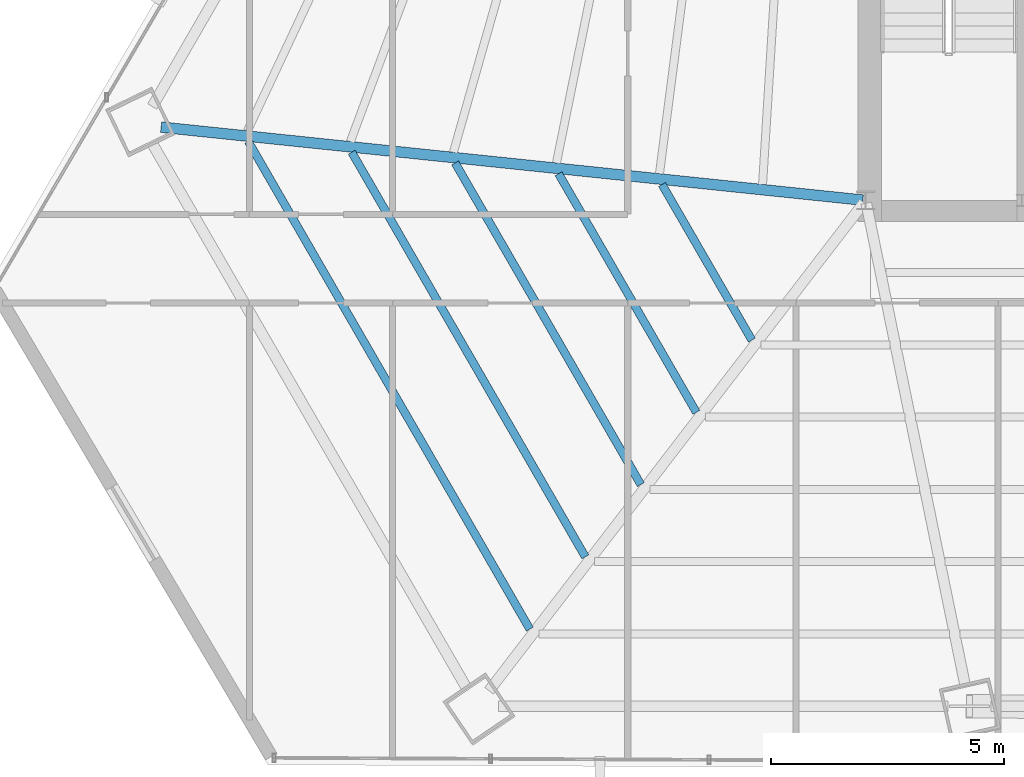
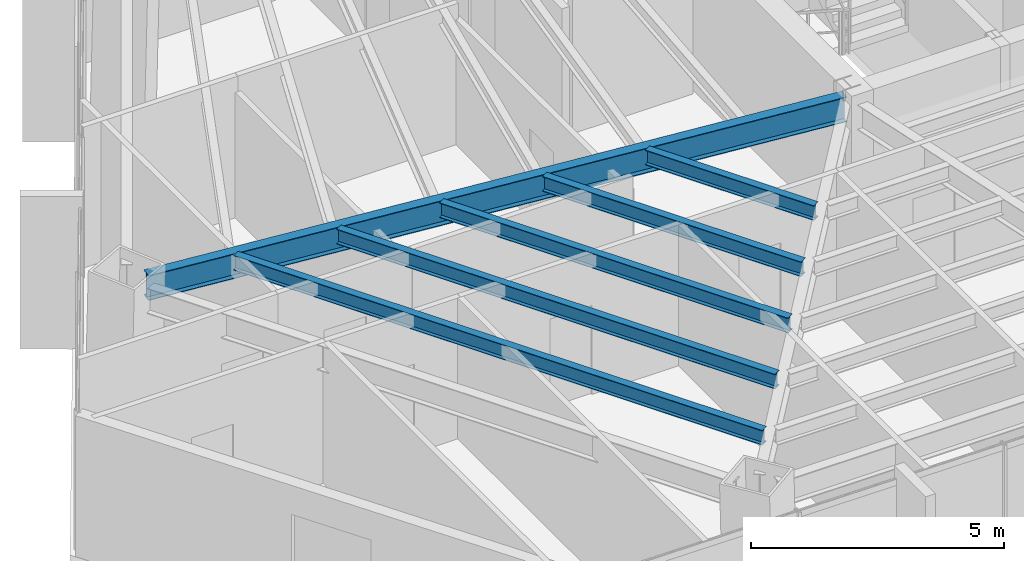
# One storey, part 7 of 36: 6 beams.
"""IFC4 building model written with IfcOpenShell, lengths in metres."""

from ifc_helpers import new_model, si_unit, direction, frame, origin, origin_2d, place, context, subcontext, project, spatial, i_section, extrude, source, transform, mapped, material, material_profile, profile_set, type_object, type_shapes, element, save


model = new_model("IFC4")

# Units and contexts
model_context = context("Model", 3, precision=1e-05, world=origin(), true_north=direction((0.0, 1.0)))
body_context = subcontext(model_context, "Body", "Model", "MODEL_VIEW")
ifc_project = project(units=[si_unit("LENGTHUNIT", "METRE"), si_unit("AREAUNIT", "SQUARE_METRE"), si_unit("VOLUMEUNIT", "CUBIC_METRE"), si_unit("PLANEANGLEUNIT", "RADIAN"), si_unit("MASSUNIT", "GRAM", prefix="KILO")], contexts=[model_context])

# Site, building, storey
site_placement = place(None, origin())
site = spatial("IfcSite", under=ifc_project, at=site_placement, CompositionType="ELEMENT")
building_placement = place(site_placement, origin())
building = spatial("IfcBuilding", under=site, at=building_placement, Name="Caelisora Broadcast Tower", CompositionType="ELEMENT")
storey_placement = place(building_placement, frame((0.0, 0.0, 112.699951171875)))
storey = spatial("IfcBuildingStorey", under=building, at=storey_placement, Name="L29", CompositionType="ELEMENT", Elevation=112.699951171875)

# Beams
ifc_material = material(Name="Steel Grade 350 (AS/NZS 3679.1)", Category="steel")
ifc_material_profile_1 = material_profile(ifc_material, i_section(OverallWidth=0.22802734375, OverallDepth=0.602294921875, WebThickness=0.010498046875, FlangeThickness=0.014892578125, at=origin_2d()), Name="Steel Grade 350 (AS/NZS 3679.1)")
ifc_profile_set_1 = profile_set([ifc_material_profile_1], Name="Steel Grade 350 (AS/NZS 3679.1)")
beam_type_1 = type_object("IfcBeamType", Name="PG04", PredefinedType="BEAM", material=ifc_profile_set_1)
shared_shape_1 = source(origin(), body_context, "Body", "SweptSolid", [
    extrude(i_section(OverallWidth=0.22802734375, OverallDepth=0.602294921875, WebThickness=0.010498046875, FlangeThickness=0.014892578125, at=origin_2d()), origin(), (0.0, 0.0, 1.0), 15.12255859375),
])
type_shapes(beam_type_1, [shared_shape_1])
beam_1_placement = place(storey_placement, frame((30.440185546875, 17.40625, 3.098876953125), z_axis=(-0.994636208813, 0.103435062325, 0.0), x_axis=(-0.103435062325, -0.994636208813, 0.0)))
element("IfcBeam", 1, at=beam_1_placement, inside=storey, type_object=beam_type_1, Name="L29 beam PG04", PredefinedType="BEAM", context=body_context, shape_type="MappedRepresentation", body=[
    mapped(shared_shape_1, transform((0.0, 0.0, 0.0), scale=1.0)),
])
ifc_material_profile_2 = material_profile(ifc_material, i_section(OverallWidth=0.172119140625, OverallDepth=0.358642578125, WebThickness=0.008056640625, FlangeThickness=0.012939453125, at=origin_2d()), Name="Steel Grade 350 (AS/NZS 3679.1)")
ifc_profile_set_2 = profile_set([ifc_material_profile_2], Name="Steel Grade 350 (AS/NZS 3679.1)")
beam_type_2 = type_object("IfcBeamType", Name="SB02", PredefinedType="JOIST", material=ifc_profile_set_2)
shared_shape_2 = source(origin(), body_context, "Body", "SweptSolid", [
    extrude(i_section(OverallWidth=0.172119140625, OverallDepth=0.358642578125, WebThickness=0.008056640625, FlangeThickness=0.012939453125, at=origin_2d()), origin(), (0.0, 0.0, 1.0), 3.85107421875),
])
beam_2_placement = place(storey_placement, frame((26.135009765625, 17.74169921875, 3.220703125), z_axis=(0.499991345342, -0.866030400496, 0.0), x_axis=(0.866030400496, 0.499991345342, 0.0)))
element("IfcBeam", 2, at=beam_2_placement, inside=storey, type_object=beam_type_2, Name="L29 beam SB02", PredefinedType="JOIST", context=body_context, shape_type="MappedRepresentation", body=[
    mapped(shared_shape_2, transform((0.0, 0.0, 0.0), scale=1.0)),
])
shared_shape_3 = source(origin(), body_context, "Body", "SweptSolid", [
    extrude(i_section(OverallWidth=0.172119140625, OverallDepth=0.358642578125, WebThickness=0.008056640625, FlangeThickness=0.012939453125, at=origin_2d()), origin(), (0.0, 0.0, 1.0), 5.906005859375),
])
beam_3_placement = place(storey_placement, frame((23.91796875, 17.972412109375, 3.220703125), z_axis=(0.499984865837, -0.866034141321, 0.0), x_axis=(0.866034141321, 0.499984865837, 0.0)))
element("IfcBeam", 3, at=beam_3_placement, inside=storey, type_object=beam_type_2, Name="L29 beam SB02", PredefinedType="JOIST", context=body_context, shape_type="MappedRepresentation", body=[
    mapped(shared_shape_3, transform((0.0, 0.0, 0.0), scale=1.0)),
])
shared_shape_4 = source(origin(), body_context, "Body", "SweptSolid", [
    extrude(i_section(OverallWidth=0.172119140625, OverallDepth=0.358642578125, WebThickness=0.008056640625, FlangeThickness=0.012939453125, at=origin_2d()), origin(), (0.0, 0.0, 1.0), 7.960693359375),
])
beam_4_placement = place(storey_placement, frame((21.70068359375, 18.202880859375, 3.220703125), z_axis=(0.500018012193, -0.86601500419, 0.0), x_axis=(0.86601500419, 0.500018012193, 0.0)))
element("IfcBeam", 4, at=beam_4_placement, inside=storey, type_object=beam_type_2, Name="L29 beam SB02", PredefinedType="JOIST", context=body_context, shape_type="MappedRepresentation", body=[
    mapped(shared_shape_4, transform((0.0, 0.0, 0.0), scale=1.0)),
])
shared_shape_5 = source(origin(), body_context, "Body", "SweptSolid", [
    extrude(i_section(OverallWidth=0.172119140625, OverallDepth=0.358642578125, WebThickness=0.008056640625, FlangeThickness=0.012939453125, at=origin_2d()), origin(), (0.0, 0.0, 1.0), 10.01513671875),
])
beam_5_placement = place(storey_placement, frame((19.48388671875, 18.433349609375, 3.220703125), z_axis=(0.500000993434, -0.866024830224, 0.0), x_axis=(0.866024830224, 0.500000993434, 0.0)))
element("IfcBeam", 5, at=beam_5_placement, inside=storey, type_object=beam_type_2, Name="L29 beam SB02", PredefinedType="JOIST", context=body_context, shape_type="MappedRepresentation", body=[
    mapped(shared_shape_5, transform((0.0, 0.0, 0.0), scale=1.0)),
])
shared_shape_6 = source(origin(), body_context, "Body", "SweptSolid", [
    extrude(i_section(OverallWidth=0.172119140625, OverallDepth=0.358642578125, WebThickness=0.008056640625, FlangeThickness=0.012939453125, at=origin_2d()), origin(), (0.0, 0.0, 1.0), 12.070068359375),
])
type_shapes(beam_type_2, [shared_shape_2, shared_shape_3, shared_shape_4, shared_shape_5, shared_shape_6])
beam_6_placement = place(storey_placement, frame((17.266845703125, 18.6640625, 3.220703125), z_axis=(0.499987422, -0.866032665575, 0.0), x_axis=(0.866032665575, 0.499987422, 0.0)))
element("IfcBeam", 6, at=beam_6_placement, inside=storey, type_object=beam_type_2, Name="L29 beam SB02", PredefinedType="JOIST", context=body_context, shape_type="MappedRepresentation", body=[
    mapped(shared_shape_6, transform((0.0, 0.0, 0.0), scale=1.0)),
])

save(model, "model.ifc")
